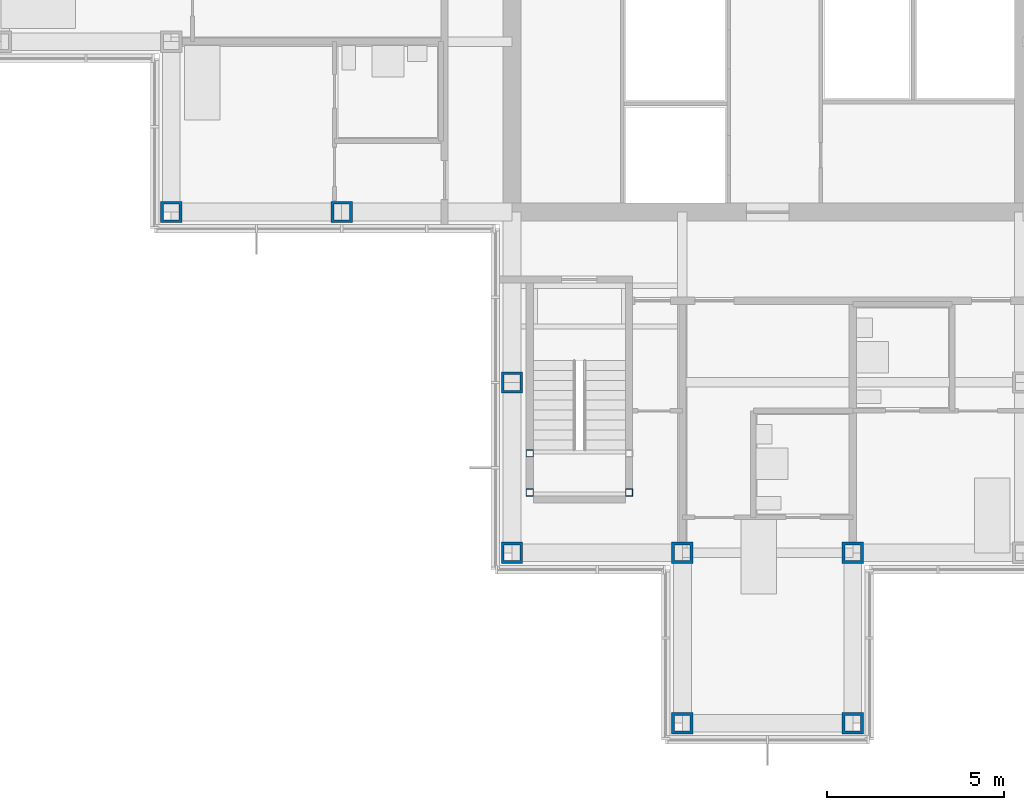
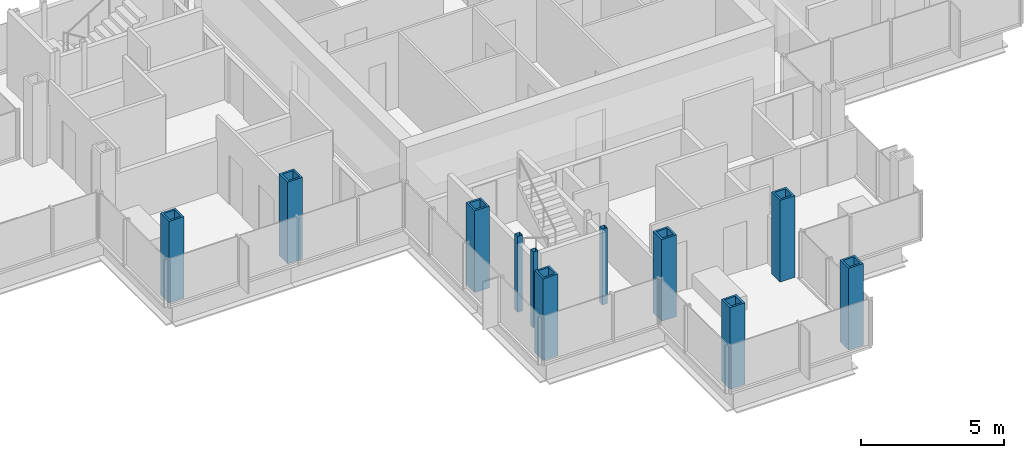
# One storey, part 1 of 17: 11 columns.
"""IFC4 building model written with IfcOpenShell, lengths in metres."""

from ifc_helpers import new_model, si_unit, direction, frame, origin, origin_2d, place, context, subcontext, project, spatial, hollow_rectangle, extrude, material, material_profile, profile_set, type_object, element, save


model = new_model("IFC4")

# Units and contexts
model_context = context("Model", 3, precision=1e-05, world=origin(), true_north=direction((0.0, 1.0)))
body_context = subcontext(model_context, "Body", "Model", "MODEL_VIEW")
ifc_project = project(units=[si_unit("LENGTHUNIT", "METRE"), si_unit("AREAUNIT", "SQUARE_METRE"), si_unit("VOLUMEUNIT", "CUBIC_METRE"), si_unit("PLANEANGLEUNIT", "RADIAN"), si_unit("MASSUNIT", "GRAM", prefix="KILO")], contexts=[model_context])

# Site, building, storey
site_placement = place(None, origin())
site = spatial("IfcSite", under=ifc_project, at=site_placement, CompositionType="ELEMENT")
building_placement = place(site_placement, origin())
building = spatial("IfcBuilding", under=site, at=building_placement, Name="Kvirike Care Tower", CompositionType="ELEMENT")
storey_placement = place(building_placement, frame((0.0, 0.0, 186.5)))
storey = spatial("IfcBuildingStorey", under=building, at=storey_placement, Name="L51", CompositionType="ELEMENT", Elevation=186.5)

# Columns
ifc_material_1 = material(Name="Steel S460", Category="steel")
ifc_material_profile_1 = material_profile(ifc_material_1, hollow_rectangle(XDim=0.60009765625, YDim=0.60009765625, WallThickness=0.080078125, at=origin_2d()), Name="BX 600x600x80")
ifc_profile_set_1 = profile_set([ifc_material_profile_1], Name="Steel S460")
column_type_1 = type_object("IfcColumnType", Name="COLUMN BX 600x600x80", PredefinedType="COLUMN", material=ifc_profile_set_1)
for number, where, z_axis, x_axis, name in (
    (1, (4.800048828125, 28.800048828125, 0.0), (0.0, 0.0, 1.0), (0.0, 1.0, 0.0), "Column G4 L51"),
    (2, (9.60009765625, 28.800048828125, 0.0), (0.0, 0.0, 1.0), (0.0, 1.0, 0.0), "Column G5 L51"),
    (3, (14.39990234375, 19.199951171875, 0.0), (0.0, 0.0, 1.0), (0.0, 1.0, 0.0), "Column E6 L51"),
    (4, (14.39990234375, 24.0, 0.0), (0.0, 0.0, 1.0), (1.0, 0.0, 0.0), "Column F6 L51"),
    (5, (19.199951171875, 14.39990234375, 0.0), (0.0, 0.0, 1.0), (0.0, 1.0, 0.0), "Column D7 L51"),
    (6, (19.199951171875, 19.199951171875, 0.0), (0.0, 0.0, 1.0), (0.0, 1.0, 0.0), "Column E7 L51"),
    (7, (24.0, 14.39990234375, 0.0), (0.0, 0.0, 1.0), (0.0, 1.0, 0.0), "Column D8 L51"),
    (8, (24.0, 19.199951171875, 0.0), (0.0, 0.0, 1.0), (0.0, 1.0, 0.0), "Column E8 L51"),
):
    element("IfcColumn", number, at=place(storey_placement, frame(where, z_axis=z_axis, x_axis=x_axis)), inside=storey, type_object=column_type_1, Name=name, PredefinedType="COLUMN", context=body_context, shape_type="SweptSolid", body=[
        extrude(hollow_rectangle(XDim=0.60009765625, YDim=0.60009765625, WallThickness=0.080078125, at=origin_2d()), origin(), (0.0, 0.0, 1.0), 3.5),
    ])
ifc_material_2 = material(Name="Steel S460", Category="steel")
ifc_material_profile_2 = material_profile(ifc_material_2, hollow_rectangle(XDim=0.199951171875, YDim=0.199951171875, WallThickness=0.008056640625, at=origin_2d()), Name="SHS 200x200x8")
ifc_profile_set_2 = profile_set([ifc_material_profile_2], Name="Steel S460")
column_type_2 = type_object("IfcColumnType", Name="STAIR POST SHS 200x200x8", PredefinedType="COLUMN", material=ifc_profile_set_2)
for number, where, z_axis, x_axis, name in (
    (9, (14.89990234375, 20.89990234375, 0.0), (0.0, 0.0, 1.0), (1.0, 0.0, 0.0), "Stair 5 post 1 L51"),
    (10, (17.699951171875, 20.89990234375, 0.0), (0.0, 0.0, 1.0), (1.0, 0.0, 0.0), "Stair 5 post 2 L51"),
    (11, (14.89990234375, 22.0, 0.0), (0.0, 0.0, 1.0), (1.0, 0.0, 0.0), "Stair 5 post 3 L51"),
):
    element("IfcColumn", number, at=place(storey_placement, frame(where, z_axis=z_axis, x_axis=x_axis)), inside=storey, type_object=column_type_2, Name=name, PredefinedType="COLUMN", context=body_context, shape_type="SweptSolid", body=[
        extrude(hollow_rectangle(XDim=0.199951171875, YDim=0.199951171875, WallThickness=0.008056640625, at=origin_2d()), origin(), (0.0, 0.0, 1.0), 3.25),
    ])

save(model, "model.ifc")
